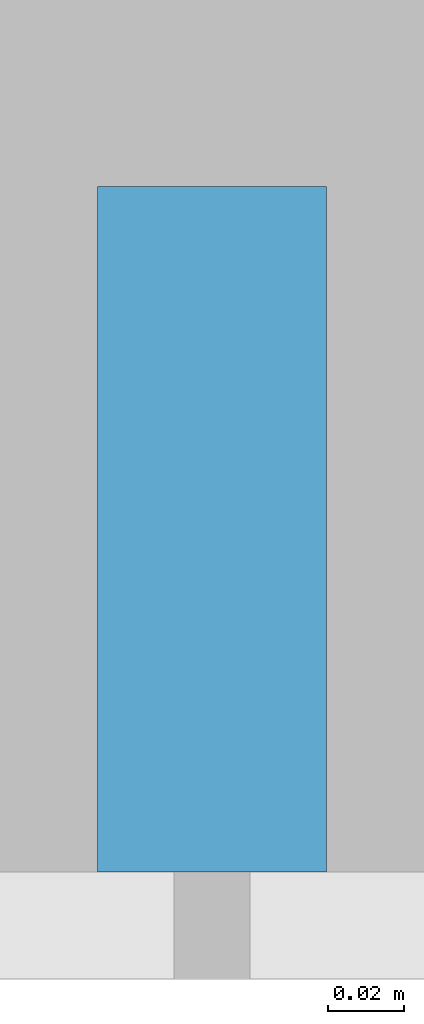
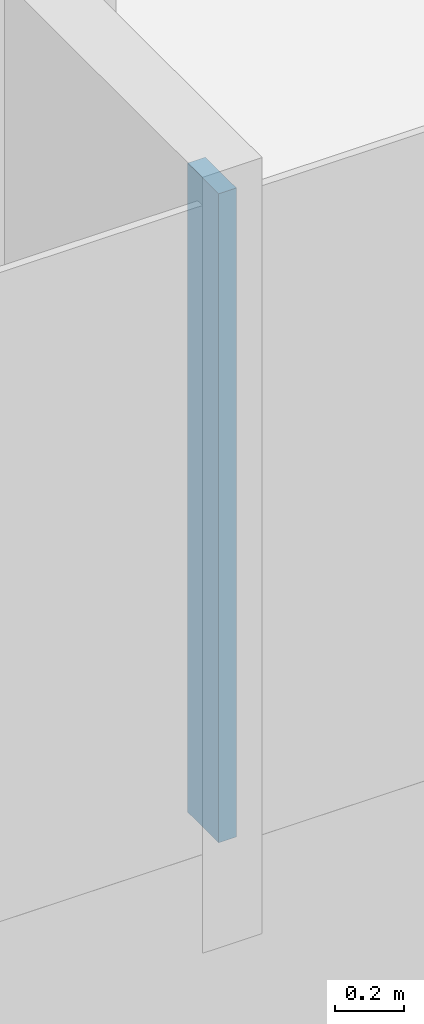
# One storey, part 5 of 26: 1 member, 1 element without a shape of its own.
"""IFC4 building model written with IfcOpenShell, lengths in metres."""

from ifc_helpers import new_model, si_unit, direction, frame, origin, origin_2d, place, context, subcontext, project, spatial, rectangle, extrude, material, layer, layer_set, material_profile, profile_set, type_object, element, aggregate, save


model = new_model("IFC4")

# Units and contexts
model_context = context("Model", 3, precision=1e-05, world=origin(), true_north=direction((0.0, 1.0)))
body_context = subcontext(model_context, "Body", "Model", "MODEL_VIEW")
ifc_project = project(units=[si_unit("LENGTHUNIT", "METRE"), si_unit("AREAUNIT", "SQUARE_METRE"), si_unit("VOLUMEUNIT", "CUBIC_METRE"), si_unit("PLANEANGLEUNIT", "RADIAN"), si_unit("MASSUNIT", "GRAM", prefix="KILO")], contexts=[model_context])

# Site, building, storey
site_placement = place(None, origin())
site = spatial("IfcSite", under=ifc_project, at=site_placement, CompositionType="ELEMENT")
building_placement = place(site_placement, origin())
building = spatial("IfcBuilding", under=site, at=building_placement, Name="Hakoniwa Tower and Hamabe Station Hall", CompositionType="ELEMENT")
storey_placement = place(building_placement, frame((0.0, 0.0, 221.800048828125)))
storey = spatial("IfcBuildingStorey", under=building, at=storey_placement, Name="L63", CompositionType="ELEMENT", Elevation=221.800048828125)

# Curtain wall, member
ifc_material_1 = material(Name="Dark low-e laminated glass", Category="glass")
ifc_layer = layer(ifc_material_1, 0.199951171875)
ifc_layer_set = layer_set([ifc_layer], Name="CW-1 UNITISED GUEST")
curtain_wall_type = type_object("IfcCurtainWallType", Name="CW-1 UNITISED GUEST", PredefinedType="NOTDEFINED", material=ifc_layer_set)
curtain_wall_placement = place(storey_placement, origin())
curtain_wall = element("IfcCurtainWall", 1, at=curtain_wall_placement, inside=storey, type_object=curtain_wall_type, Name="CW-1 curtain wall", PredefinedType="NOTDEFINED")
ifc_material_2 = material(Name="Aluminium 6063-T5 black anodised", Category="aluminium")
ifc_material_profile = material_profile(ifc_material_2, rectangle(XDim=0.06005859375, YDim=0.179931640625, at=origin_2d()), Name="CW-1 MULLION 60X180")
ifc_profile_set = profile_set([ifc_material_profile], Name="Aluminium 6063-T5 black anodised")
member_type = type_object("IfcMemberType", Name="CW-1 MULLION 60X180", PredefinedType="MULLION", material=ifc_profile_set)
member_placement = place(storey_placement, frame((16.800048828125, -15.431884765625, 0.349853515625), z_axis=(0.0, 0.0, 1.0), x_axis=(1.0, 0.0, 0.0)))
member = element("IfcMember", 2, at=member_placement, type_object=member_type, Name="CW-1 mullion", PredefinedType="MULLION", context=body_context, shape_type="SweptSolid", body=[
    extrude(rectangle(XDim=0.06005859375, YDim=0.179931640625, at=origin_2d()), origin(), (0.0, 0.0, 1.0), 2.300048828125),
])
aggregate(curtain_wall, [member])

save(model, "model.ifc")
